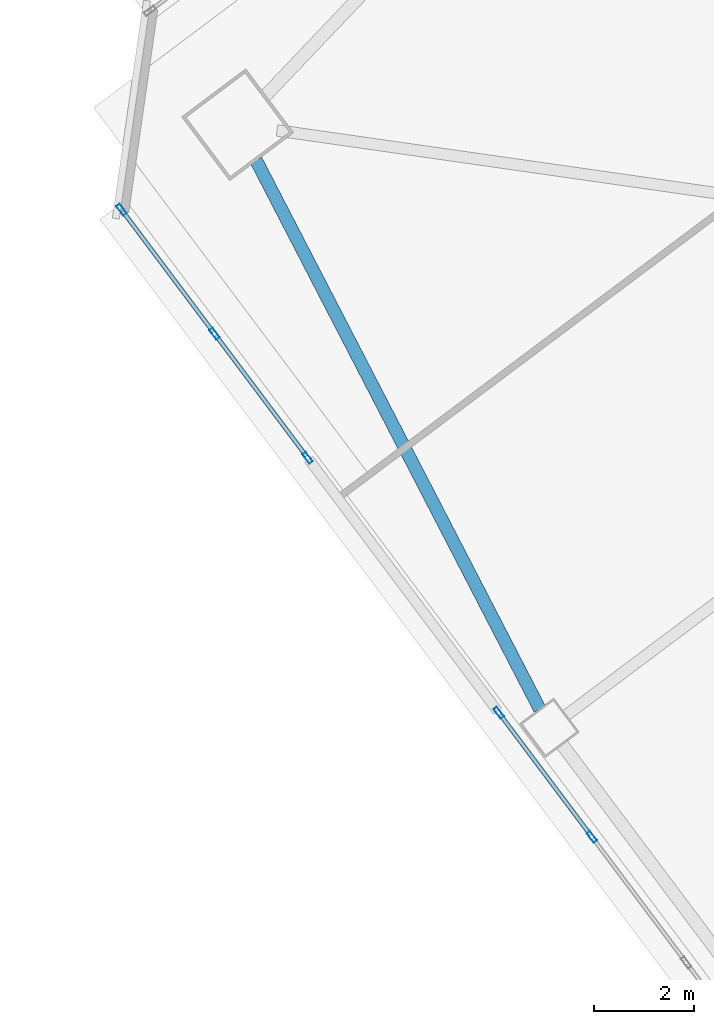
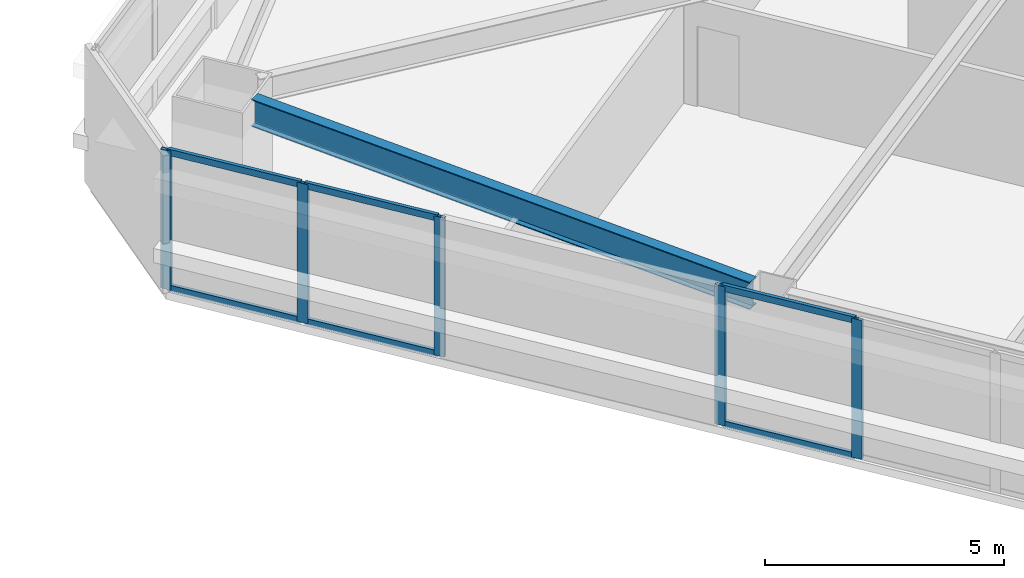
# One storey, part 21 of 47: 11 members, 1 beam, 2 elements without a shape of their own.
"""IFC4 building model written with IfcOpenShell, lengths in metres."""

from ifc_helpers import new_model, si_unit, direction, frame, origin, origin_2d, place, context, subcontext, project, spatial, hollow_rectangle, i_section, extrude, material, material_profile, profile_set, type_object, element, aggregate, save


model = new_model("IFC4")

# Units and contexts
model_context = context("Model", 3, precision=1e-05, world=origin(), true_north=direction((0.0, 1.0)))
body_context = subcontext(model_context, "Body", "Model", "MODEL_VIEW")
ifc_project = project(units=[si_unit("LENGTHUNIT", "METRE"), si_unit("AREAUNIT", "SQUARE_METRE"), si_unit("VOLUMEUNIT", "CUBIC_METRE"), si_unit("PLANEANGLEUNIT", "RADIAN"), si_unit("MASSUNIT", "GRAM", prefix="KILO")], contexts=[model_context])

# Site, building, storey
site_placement = place(None, origin())
site = spatial("IfcSite", under=ifc_project, at=site_placement, CompositionType="ELEMENT")
building_placement = place(site_placement, origin())
building = spatial("IfcBuilding", under=site, at=building_placement, Name="Tashvorn Skyway Center", CompositionType="ELEMENT")
storey_placement = place(building_placement, frame((0.0, 0.0, 42.35009765625)))
storey = spatial("IfcBuildingStorey", under=building, at=storey_placement, Name="L10", CompositionType="ELEMENT", Elevation=42.35009765625)

# Beam
ifc_material_1 = material(Name="Steel ASTM A992 Grade 50", Category="steel")
ifc_material_profile_1 = material_profile(ifc_material_1, i_section(OverallWidth=0.256103515625, OverallDepth=0.693115234375, WebThickness=0.014404296875, FlangeThickness=0.023681640625, at=origin_2d()), Name="W27X114")
ifc_profile_set_1 = profile_set([ifc_material_profile_1], Name="Steel ASTM A992 Grade 50")
beam_type = type_object("IfcBeamType", Name="BM-SPANDREL-W27X114", PredefinedType="SPANDREL", material=ifc_profile_set_1)
beam_placement = place(storey_placement, frame((88.045166015625, 35.0537109375, 3.00341796875), z_axis=(0.459233413919, -0.888315637339, 0.0), x_axis=(0.888315637339, 0.459233413919, 0.0)))
element("IfcBeam", 1, at=beam_placement, inside=storey, type_object=beam_type, Name="Tower 2 L10 Spandrel Beam 10", PredefinedType="SPANDREL", context=body_context, shape_type="SweptSolid", body=[
    extrude(i_section(OverallWidth=0.256103515625, OverallDepth=0.693115234375, WebThickness=0.014404296875, FlangeThickness=0.023681640625, at=origin_2d()), origin(), (0.0, 0.0, 1.0), 12.37255859375),
])

# Curtain wall, members
ifc_material_2 = material(Name="Thermally broken bronze-anodized aluminium 6063-T6", Category="aluminium")
curtain_wall_type = type_object("IfcCurtainWallType", Name="CW-CW-Z1", PredefinedType="NOTDEFINED", material=ifc_material_2)
curtain_wall_1_placement = place(storey_placement, origin())
curtain_wall_1 = element("IfcCurtainWall", 2, at=curtain_wall_1_placement, inside=storey, type_object=curtain_wall_type, Name="Tower 2 L10 West Unitised Curtain Wall Glazing Group 2", PredefinedType="NOTDEFINED")
ifc_material_profile_2 = material_profile(ifc_material_2, hollow_rectangle(XDim=0.0849609375, YDim=0.239990234375, WallThickness=0.0048828125, at=origin_2d()), Name="ALU-MULL-85x240")
ifc_profile_set_2 = profile_set([ifc_material_profile_2], Name="Thermally broken bronze-anodized aluminium 6063-T6")
member_type_1 = type_object("IfcMemberType", Name="CWM-CW-Z1", PredefinedType="MULLION", material=ifc_profile_set_2)
member_1_placement = place(storey_placement, frame((94.76806640625, 21.50927734375, 0.0), z_axis=(0.0, 0.0, 1.0), x_axis=(-0.800001906763, -0.599997457641, 0.0)))
member_1 = element("IfcMember", 3, at=member_1_placement, type_object=member_type_1, Name="CW-Z1 mullion 4", PredefinedType="MULLION", context=body_context, shape_type="SweptSolid", body=[
    extrude(hollow_rectangle(XDim=0.0849609375, YDim=0.239990234375, WallThickness=0.0048828125, at=origin_2d()), origin(), (0.0, 0.0, 1.0), 3.5498046875),
])
member_2_placement = place(storey_placement, frame((92.905517578125, 23.99267578125, 0.0), z_axis=(0.0, 0.0, 1.0), x_axis=(-0.800001906763, -0.599997457641, 0.0)))
member_2 = element("IfcMember", 4, at=member_2_placement, type_object=member_type_1, Name="CW-Z1 mullion 5", PredefinedType="MULLION", context=body_context, shape_type="SweptSolid", body=[
    extrude(hollow_rectangle(XDim=0.0849609375, YDim=0.239990234375, WallThickness=0.0048828125, at=origin_2d()), origin(), (0.0, 0.0, 1.0), 3.5498046875),
])

curtain_wall_2_placement = place(storey_placement, origin())
curtain_wall_2 = element("IfcCurtainWall", 5, at=curtain_wall_2_placement, inside=storey, type_object=curtain_wall_type, Name="Tower 2 L10 West Unitised Curtain Wall Glazing Group 3", PredefinedType="NOTDEFINED")
member_3_placement = place(storey_placement, frame((89.07861328125, 29.09521484375, 0.0), z_axis=(0.0, 0.0, 1.0), x_axis=(-0.800001906763, -0.599997457641, 0.0)))
member_3 = element("IfcMember", 6, at=member_3_placement, type_object=member_type_1, Name="CW-Z1 mullion 1", PredefinedType="MULLION", context=body_context, shape_type="SweptSolid", body=[
    extrude(hollow_rectangle(XDim=0.0849609375, YDim=0.239990234375, WallThickness=0.0048828125, at=origin_2d()), origin(), (0.0, 0.0, 1.0), 3.5498046875),
])
member_4_placement = place(storey_placement, frame((87.216064453125, 31.57861328125, 0.0), z_axis=(0.0, 0.0, 1.0), x_axis=(-0.800001906763, -0.599997457641, 0.0)))
member_4 = element("IfcMember", 7, at=member_4_placement, type_object=member_type_1, Name="CW-Z1 mullion 2", PredefinedType="MULLION", context=body_context, shape_type="SweptSolid", body=[
    extrude(hollow_rectangle(XDim=0.0849609375, YDim=0.239990234375, WallThickness=0.0048828125, at=origin_2d()), origin(), (0.0, 0.0, 1.0), 3.5498046875),
])
member_5_placement = place(storey_placement, frame((85.353515625, 34.06201171875, 0.0), z_axis=(0.0, 0.0, 1.0), x_axis=(-0.800001906763, -0.599997457641, 0.0)))
member_5 = element("IfcMember", 8, at=member_5_placement, type_object=member_type_1, Name="CW-Z1 mullion 3", PredefinedType="MULLION", context=body_context, shape_type="SweptSolid", body=[
    extrude(hollow_rectangle(XDim=0.0849609375, YDim=0.239990234375, WallThickness=0.0048828125, at=origin_2d()), origin(), (0.0, 0.0, 1.0), 3.5498046875),
])

# Member
ifc_material_profile_3 = material_profile(ifc_material_2, hollow_rectangle(XDim=0.0849609375, YDim=0.1650390625, WallThickness=0.0048828125, at=origin_2d()), Name="ALU-TRAN-85x165")
ifc_profile_set_3 = profile_set([ifc_material_profile_3], Name="Thermally broken bronze-anodized aluminium 6063-T6")
member_type_2 = type_object("IfcMemberType", Name="CWT-CW-Z1", PredefinedType="USERDEFINED", material=ifc_profile_set_3)
member_6_placement = place(storey_placement, frame((94.742431640625, 21.54345703125, 0.04248046875), z_axis=(-0.600012938206, 0.799990296182, 0.0), x_axis=(-0.799990296182, -0.600012938206, 0.0)))
member_6 = element("IfcMember", 9, at=member_6_placement, type_object=member_type_2, Name="CW-Z1 transom 4.1", ObjectType="TRANSOM", PredefinedType="USERDEFINED", context=body_context, shape_type="SweptSolid", body=[
    extrude(hollow_rectangle(XDim=0.0849609375, YDim=0.1650390625, WallThickness=0.0048828125, at=origin_2d()), origin(), (0.0, 0.0, 1.0), 3.01904296875),
])

member_7_placement = place(storey_placement, frame((94.742431640625, 21.54345703125, 3.50732421875), z_axis=(-0.600012938206, 0.799990296182, 0.0), x_axis=(-0.799990296182, -0.600012938206, 0.0)))
member_7 = element("IfcMember", 10, at=member_7_placement, type_object=member_type_2, Name="CW-Z1 transom 4.2", ObjectType="TRANSOM", PredefinedType="USERDEFINED", context=body_context, shape_type="SweptSolid", body=[
    extrude(hollow_rectangle(XDim=0.0849609375, YDim=0.1650390625, WallThickness=0.0048828125, at=origin_2d()), origin(), (0.0, 0.0, 1.0), 3.01904296875),
])

aggregate(curtain_wall_1, [member_1, member_2, member_6, member_7])

member_8_placement = place(storey_placement, frame((89.052978515625, 29.12939453125, 0.04248046875), z_axis=(-0.600012938206, 0.799990296182, 0.0), x_axis=(-0.799990296182, -0.600012938206, 0.0)))
member_8 = element("IfcMember", 11, at=member_8_placement, type_object=member_type_2, Name="CW-Z1 transom 1.1", ObjectType="TRANSOM", PredefinedType="USERDEFINED", context=body_context, shape_type="SweptSolid", body=[
    extrude(hollow_rectangle(XDim=0.0849609375, YDim=0.1650390625, WallThickness=0.0048828125, at=origin_2d()), origin(), (0.0, 0.0, 1.0), 3.01904296875),
])

member_9_placement = place(storey_placement, frame((89.052978515625, 29.12939453125, 3.50732421875), z_axis=(-0.600012938206, 0.799990296182, 0.0), x_axis=(-0.799990296182, -0.600012938206, 0.0)))
member_9 = element("IfcMember", 12, at=member_9_placement, type_object=member_type_2, Name="CW-Z1 transom 1.2", ObjectType="TRANSOM", PredefinedType="USERDEFINED", context=body_context, shape_type="SweptSolid", body=[
    extrude(hollow_rectangle(XDim=0.0849609375, YDim=0.1650390625, WallThickness=0.0048828125, at=origin_2d()), origin(), (0.0, 0.0, 1.0), 3.01904296875),
])

member_10_placement = place(storey_placement, frame((87.1904296875, 31.612548828125, 0.04248046875), z_axis=(-0.599974124791, 0.800019405753, 0.0), x_axis=(-0.800019405753, -0.599974124791, 0.0)))
member_10 = element("IfcMember", 13, at=member_10_placement, type_object=member_type_2, Name="CW-Z1 transom 2.1", ObjectType="TRANSOM", PredefinedType="USERDEFINED", context=body_context, shape_type="SweptSolid", body=[
    extrude(hollow_rectangle(XDim=0.0849609375, YDim=0.1650390625, WallThickness=0.0048828125, at=origin_2d()), origin(), (0.0, 0.0, 1.0), 3.019287109375),
])

member_11_placement = place(storey_placement, frame((87.1904296875, 31.612548828125, 3.50732421875), z_axis=(-0.599974124791, 0.800019405753, 0.0), x_axis=(-0.800019405753, -0.599974124791, 0.0)))
member_11 = element("IfcMember", 14, at=member_11_placement, type_object=member_type_2, Name="CW-Z1 transom 2.2", ObjectType="TRANSOM", PredefinedType="USERDEFINED", context=body_context, shape_type="SweptSolid", body=[
    extrude(hollow_rectangle(XDim=0.0849609375, YDim=0.1650390625, WallThickness=0.0048828125, at=origin_2d()), origin(), (0.0, 0.0, 1.0), 3.019287109375),
])

aggregate(curtain_wall_2, [member_3, member_4, member_5, member_8, member_9, member_10, member_11])

save(model, "model.ifc")
